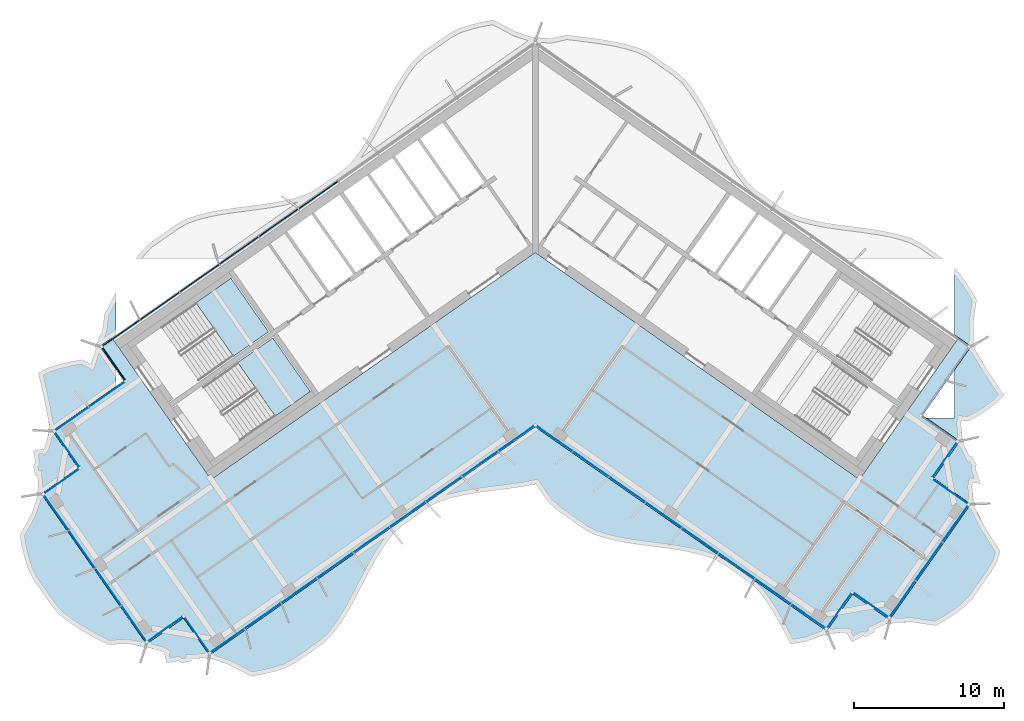
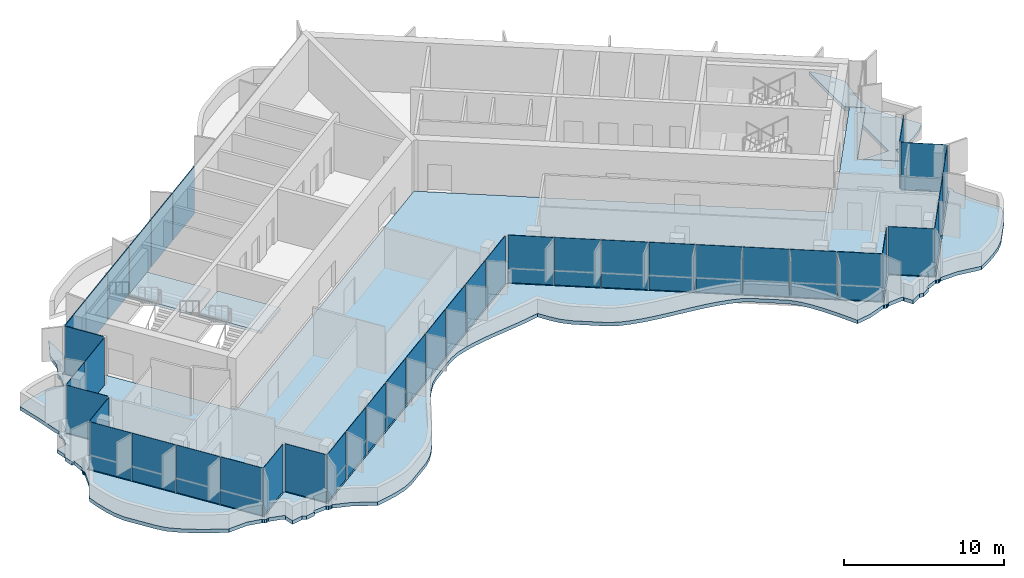
# One storey, part 7 of 17: 41 plates, 4 slabs, 4 elements without a shape of their own.
"""IFC4 building model written with IfcOpenShell, lengths in metres."""

from ifc_helpers import new_model, si_unit, direction, frame, origin, origin_2d, place, context, subcontext, project, spatial, polyline, rectangle, outline, extrude, material, layer, layer_set, type_object, element, aggregate, save


model = new_model("IFC4")

# Units and contexts
model_context = context("Model", 3, precision=1e-05, world=origin(), true_north=direction((0.0, 1.0)))
body_context = subcontext(model_context, "Body", "Model", "MODEL_VIEW")
ifc_project = project(units=[si_unit("LENGTHUNIT", "METRE"), si_unit("AREAUNIT", "SQUARE_METRE"), si_unit("VOLUMEUNIT", "CUBIC_METRE"), si_unit("PLANEANGLEUNIT", "RADIAN"), si_unit("MASSUNIT", "GRAM", prefix="KILO")], contexts=[model_context])

# Site, building, storey
site_placement = place(None, origin())
site = spatial("IfcSite", under=ifc_project, at=site_placement, CompositionType="ELEMENT")
building_placement = place(site_placement, origin())
building = spatial("IfcBuilding", under=site, at=building_placement, Name="Tel Ilan Convention Tower", CompositionType="ELEMENT")
storey_placement = place(building_placement, frame((0.0, 0.0, 287.800048828125)))
storey = spatial("IfcBuildingStorey", under=building, at=storey_placement, Name="L68", CompositionType="ELEMENT", Elevation=287.800048828125)

# Curtain wall, plates
ifc_material_1 = material(Name="Aluminium, bronze anodised", Category="aluminium")
curtain_wall_type_1 = type_object("IfcCurtainWallType", Name="CW2 STICK CURTAIN WALL, SPANDREL PANELS", PredefinedType="NOTDEFINED", material=ifc_material_1)
curtain_wall_1_placement = place(storey_placement, origin())
curtain_wall_1 = element("IfcCurtainWall", 1, at=curtain_wall_1_placement, inside=storey, type_object=curtain_wall_type_1, Name="Curtain wall CW2-51.01", PredefinedType="NOTDEFINED")
ifc_material_2 = material(Name="Aluminium composite panel, bronze anodised", Category="aluminium")
ifc_layer_1 = layer(ifc_material_2, 0.06005859375)
ifc_layer_set_1 = layer_set([ifc_layer_1], Name="CW SPANDREL PANEL 60")
plate_type_1 = type_object("IfcPlateType", Name="CW SPANDREL PANEL 60", PredefinedType="CURTAIN_PANEL", material=ifc_layer_set_1)
plate_1_placement = place(storey_placement, frame((-14.422119140625, 2.59765625, 0.0), z_axis=(0.0, 0.0, 1.0), x_axis=(-0.819152044289, -0.573576436351, 0.0)))
plate_1 = element("IfcPlate", 2, at=plate_1_placement, type_object=plate_type_1, Name="Spandrel panel", PredefinedType="CURTAIN_PANEL", context=body_context, shape_type="SweptSolid", body=[
    extrude(rectangle(XDim=3.15380859375, YDim=0.06005859375, at=origin_2d()), origin(), (0.0, 0.0, 1.0), 3.6201171875),
])
plate_2_placement = place(storey_placement, frame((-17.0546875, 0.754150390625, 0.0), z_axis=(0.0, 0.0, 1.0), x_axis=(-0.819152044289, -0.573576436351, 0.0)))
plate_2 = element("IfcPlate", 3, at=plate_2_placement, type_object=plate_type_1, Name="Spandrel panel", PredefinedType="CURTAIN_PANEL", context=body_context, shape_type="SweptSolid", body=[
    extrude(rectangle(XDim=3.15380859375, YDim=0.06005859375, at=origin_2d()), origin(), (0.0, 0.0, 1.0), 3.6201171875),
])
plate_3_placement = place(storey_placement, frame((-19.687255859375, -1.089111328125, 0.0), z_axis=(0.0, 0.0, 1.0), x_axis=(-0.819152044289, -0.573576436351, 0.0)))
plate_3 = element("IfcPlate", 4, at=plate_3_placement, type_object=plate_type_1, Name="Spandrel panel", PredefinedType="CURTAIN_PANEL", context=body_context, shape_type="SweptSolid", body=[
    extrude(rectangle(XDim=3.15380859375, YDim=0.06005859375, at=origin_2d()), origin(), (0.0, 0.0, 1.0), 3.6201171875),
])
plate_4_placement = place(storey_placement, frame((-22.31982421875, -2.9326171875, 0.0), z_axis=(0.0, 0.0, 1.0), x_axis=(-0.819152044289, -0.573576436351, 0.0)))
plate_4 = element("IfcPlate", 5, at=plate_4_placement, type_object=plate_type_1, Name="Spandrel panel", PredefinedType="CURTAIN_PANEL", context=body_context, shape_type="SweptSolid", body=[
    extrude(rectangle(XDim=3.15380859375, YDim=0.06005859375, at=origin_2d()), origin(), (0.0, 0.0, 1.0), 3.6201171875),
])
plate_5_placement = place(storey_placement, frame((-24.95263671875, -4.77587890625, 0.0), z_axis=(0.0, 0.0, 1.0), x_axis=(-0.819152044289, -0.573576436351, 0.0)))
plate_5 = element("IfcPlate", 6, at=plate_5_placement, type_object=plate_type_1, Name="Spandrel panel", PredefinedType="CURTAIN_PANEL", context=body_context, shape_type="SweptSolid", body=[
    extrude(rectangle(XDim=3.15380859375, YDim=0.06005859375, at=origin_2d()), origin(), (0.0, 0.0, 1.0), 3.6201171875),
])
plate_6_placement = place(storey_placement, frame((-27.5400390625, -6.587646484375, 0.0), z_axis=(0.0, 0.0, 1.0), x_axis=(-0.819152044289, -0.573576436351, 0.0)))
plate_6 = element("IfcPlate", 7, at=plate_6_placement, type_object=plate_type_1, Name="Spandrel panel", PredefinedType="CURTAIN_PANEL", context=body_context, shape_type="SweptSolid", body=[
    extrude(rectangle(XDim=3.0439453125, YDim=0.06005859375, at=origin_2d()), origin(), (0.0, 0.0, 1.0), 3.6201171875),
])
plate_7_placement = place(storey_placement, frame((-28.033935546875, -8.60546875, 0.0), z_axis=(0.0, 0.0, 1.0), x_axis=(0.573576436351, -0.819152044289, 0.0)))
plate_7 = element("IfcPlate", 8, at=plate_7_placement, type_object=plate_type_1, Name="Spandrel panel", PredefinedType="CURTAIN_PANEL", context=body_context, shape_type="SweptSolid", body=[
    extrude(rectangle(XDim=2.658935546875, YDim=0.06005859375, at=origin_2d()), origin(), (0.0, 0.0, 1.0), 3.6201171875),
])
aggregate(curtain_wall_1, [plate_1, plate_2, plate_3, plate_4, plate_5, plate_6, plate_7])

ifc_material_3 = material(Name="Aluminium, bronze anodised", Category="aluminium")
curtain_wall_type_2 = type_object("IfcCurtainWallType", Name="CW5 STICK CURTAIN WALL, UPPER OFFICE LOW-IRON TINTED GLASS", PredefinedType="NOTDEFINED", material=ifc_material_3)
curtain_wall_2_placement = place(storey_placement, origin())
curtain_wall_2 = element("IfcCurtainWall", 9, at=curtain_wall_2_placement, inside=storey, type_object=curtain_wall_type_2, Name="Curtain wall CW5-51.02", PredefinedType="NOTDEFINED")
ifc_material_4 = material(Name="Glass, low-iron bronze tinted, two-ply", Category="glass")
ifc_layer_2 = layer(ifc_material_4, 0.031982421875)
ifc_layer_set_2 = layer_set([ifc_layer_2], Name="CW UPPER GLASS PANEL 32")
plate_type_2 = type_object("IfcPlateType", Name="CW UPPER GLASS PANEL 32", PredefinedType="CURTAIN_PANEL", material=ifc_layer_set_2)
plate_8_placement = place(storey_placement, frame((-28.471435546875, -10.657958984375, 0.0), z_axis=(0.0, 0.0, 1.0), x_axis=(-0.819152044289, -0.573576436351, 0.0)))
plate_8 = element("IfcPlate", 10, at=plate_8_placement, type_object=plate_type_2, Name="Glass panel", PredefinedType="CURTAIN_PANEL", context=body_context, shape_type="SweptSolid", body=[
    extrude(rectangle(XDim=2.868896484375, YDim=0.028076171875, at=origin_2d()), origin(), (0.0, 0.0, 1.0), 3.6201171875),
])
plate_9_placement = place(storey_placement, frame((-30.8203125, -12.302734375, 0.0), z_axis=(0.0, 0.0, 1.0), x_axis=(-0.819152044289, -0.573576436351, 0.0)))
plate_9 = element("IfcPlate", 11, at=plate_9_placement, type_object=plate_type_2, Name="Glass panel", PredefinedType="CURTAIN_PANEL", context=body_context, shape_type="SweptSolid", body=[
    extrude(rectangle(XDim=2.74609375, YDim=0.028076171875, at=origin_2d()), origin(), (0.0, 0.0, 1.0), 3.6201171875),
])
plate_10_placement = place(storey_placement, frame((-31.126220703125, -14.30126953125, 0.0), z_axis=(0.0, 0.0, 1.0), x_axis=(0.573576436351, -0.819152044289, 0.0)))
plate_10 = element("IfcPlate", 12, at=plate_10_placement, type_object=plate_type_2, Name="Glass panel", PredefinedType="CURTAIN_PANEL", context=body_context, shape_type="SweptSolid", body=[
    extrude(rectangle(XDim=2.875, YDim=0.028076171875, at=origin_2d()), origin(), (0.0, 0.0, 1.0), 3.6201171875),
])
plate_11_placement = place(storey_placement, frame((-31.504150390625, -16.44384765625, 0.0), z_axis=(0.0, 0.0, 1.0), x_axis=(-0.819152044289, -0.573576436351, 0.0)))
plate_11 = element("IfcPlate", 13, at=plate_11_placement, type_object=plate_type_2, Name="Glass panel", PredefinedType="CURTAIN_PANEL", context=body_context, shape_type="SweptSolid", body=[
    extrude(rectangle(XDim=2.875, YDim=0.028076171875, at=origin_2d()), origin(), (0.0, 0.0, 1.0), 3.6201171875),
])
plate_12_placement = place(storey_placement, frame((-31.85693359375, -18.488037109375, 0.0), z_axis=(0.0, 0.0, 1.0), x_axis=(0.573576436351, -0.819152044289, 0.0)))
plate_12 = element("IfcPlate", 14, at=plate_12_placement, type_object=plate_type_2, Name="Glass panel", PredefinedType="CURTAIN_PANEL", context=body_context, shape_type="SweptSolid", body=[
    extrude(rectangle(XDim=2.89599609375, YDim=0.028076171875, at=origin_2d()), origin(), (0.0, 0.0, 1.0), 3.6201171875),
])
plate_13_placement = place(storey_placement, frame((-30.134521484375, -20.94775390625, 0.0), z_axis=(0.0, 0.0, 1.0), x_axis=(0.573576436351, -0.819152044289, 0.0)))
plate_13 = element("IfcPlate", 15, at=plate_13_placement, type_object=plate_type_2, Name="Glass panel", PredefinedType="CURTAIN_PANEL", context=body_context, shape_type="SweptSolid", body=[
    extrude(rectangle(XDim=2.989990234375, YDim=0.028076171875, at=origin_2d()), origin(), (0.0, 0.0, 1.0), 3.6201171875),
])
plate_14_placement = place(storey_placement, frame((-28.38525390625, -23.4462890625, 0.0), z_axis=(0.0, 0.0, 1.0), x_axis=(0.573576436351, -0.819152044289, 0.0)))
plate_14 = element("IfcPlate", 16, at=plate_14_placement, type_object=plate_type_2, Name="Glass panel", PredefinedType="CURTAIN_PANEL", context=body_context, shape_type="SweptSolid", body=[
    extrude(rectangle(XDim=2.989990234375, YDim=0.028076171875, at=origin_2d()), origin(), (0.0, 0.0, 1.0), 3.6201171875),
])
plate_15_placement = place(storey_placement, frame((-26.66259765625, -25.90625, 0.0), z_axis=(0.0, 0.0, 1.0), x_axis=(0.573576436351, -0.819152044289, 0.0)))
plate_15 = element("IfcPlate", 17, at=plate_15_placement, type_object=plate_type_2, Name="Glass panel", PredefinedType="CURTAIN_PANEL", context=body_context, shape_type="SweptSolid", body=[
    extrude(rectangle(XDim=2.89599609375, YDim=0.028076171875, at=origin_2d()), origin(), (0.0, 0.0, 1.0), 3.6201171875),
])
plate_16_placement = place(storey_placement, frame((-24.621337890625, -26.273681640625, 0.0), z_axis=(0.0, 0.0, 1.0), x_axis=(0.819152044289, 0.573576436351, 0.0)))
plate_16 = element("IfcPlate", 18, at=plate_16_placement, type_object=plate_type_2, Name="Glass panel", PredefinedType="CURTAIN_PANEL", context=body_context, shape_type="SweptSolid", body=[
    extrude(rectangle(XDim=2.875, YDim=0.028076171875, at=origin_2d()), origin(), (0.0, 0.0, 1.0), 3.6201171875),
])
plate_17_placement = place(storey_placement, frame((-22.478515625, -26.651611328125, 0.0), z_axis=(0.0, 0.0, 1.0), x_axis=(0.573576436351, -0.819152044289, 0.0)))
plate_17 = element("IfcPlate", 19, at=plate_17_placement, type_object=plate_type_2, Name="Glass panel", PredefinedType="CURTAIN_PANEL", context=body_context, shape_type="SweptSolid", body=[
    extrude(rectangle(XDim=2.875, YDim=0.028076171875, at=origin_2d()), origin(), (0.0, 0.0, 1.0), 3.6201171875),
])
plate_18_placement = place(storey_placement, frame((-20.47998046875, -27.036376953125, 0.0), z_axis=(0.0, 0.0, 1.0), x_axis=(0.819152044289, 0.573576436351, 0.0)))
plate_18 = element("IfcPlate", 20, at=plate_18_placement, type_object=plate_type_2, Name="Glass panel", PredefinedType="CURTAIN_PANEL", context=body_context, shape_type="SweptSolid", body=[
    extrude(rectangle(XDim=2.78466796875, YDim=0.028076171875, at=origin_2d()), origin(), (0.0, 0.0, 1.0), 3.6201171875),
])
plate_19_placement = place(storey_placement, frame((-18.111328125, -25.377685546875, 0.0), z_axis=(0.0, 0.0, 1.0), x_axis=(0.819152044289, 0.573576436351, 0.0)))
plate_19 = element("IfcPlate", 21, at=plate_19_placement, type_object=plate_type_2, Name="Glass panel", PredefinedType="CURTAIN_PANEL", context=body_context, shape_type="SweptSolid", body=[
    extrude(rectangle(XDim=2.878662109375, YDim=0.028076171875, at=origin_2d()), origin(), (0.0, 0.0, 1.0), 3.6201171875),
])
plate_20_placement = place(storey_placement, frame((-15.7041015625, -23.692138671875, 0.0), z_axis=(0.0, 0.0, 1.0), x_axis=(0.819152044289, 0.573576436351, 0.0)))
plate_20 = element("IfcPlate", 22, at=plate_20_placement, type_object=plate_type_2, Name="Glass panel", PredefinedType="CURTAIN_PANEL", context=body_context, shape_type="SweptSolid", body=[
    extrude(rectangle(XDim=2.878662109375, YDim=0.028076171875, at=origin_2d()), origin(), (0.0, 0.0, 1.0), 3.6201171875),
])
plate_21_placement = place(storey_placement, frame((-13.296875, -22.006591796875, 0.0), z_axis=(0.0, 0.0, 1.0), x_axis=(0.819152044289, 0.573576436351, 0.0)))
plate_21 = element("IfcPlate", 23, at=plate_21_placement, type_object=plate_type_2, Name="Glass panel", PredefinedType="CURTAIN_PANEL", context=body_context, shape_type="SweptSolid", body=[
    extrude(rectangle(XDim=2.878662109375, YDim=0.028076171875, at=origin_2d()), origin(), (0.0, 0.0, 1.0), 3.6201171875),
])
plate_22_placement = place(storey_placement, frame((-10.8896484375, -20.321044921875, 0.0), z_axis=(0.0, 0.0, 1.0), x_axis=(0.819152044289, 0.573576436351, 0.0)))
plate_22 = element("IfcPlate", 24, at=plate_22_placement, type_object=plate_type_2, Name="Glass panel", PredefinedType="CURTAIN_PANEL", context=body_context, shape_type="SweptSolid", body=[
    extrude(rectangle(XDim=2.878662109375, YDim=0.028076171875, at=origin_2d()), origin(), (0.0, 0.0, 1.0), 3.6201171875),
])
plate_23_placement = place(storey_placement, frame((-8.482666015625, -18.635498046875, 0.0), z_axis=(0.0, 0.0, 1.0), x_axis=(0.819152044289, 0.573576436351, 0.0)))
plate_23 = element("IfcPlate", 25, at=plate_23_placement, type_object=plate_type_2, Name="Glass panel", PredefinedType="CURTAIN_PANEL", context=body_context, shape_type="SweptSolid", body=[
    extrude(rectangle(XDim=2.878662109375, YDim=0.028076171875, at=origin_2d()), origin(), (0.0, 0.0, 1.0), 3.6201171875),
])
plate_24_placement = place(storey_placement, frame((-6.075439453125, -16.949951171875, 0.0), z_axis=(0.0, 0.0, 1.0), x_axis=(0.819152044289, 0.573576436351, 0.0)))
plate_24 = element("IfcPlate", 26, at=plate_24_placement, type_object=plate_type_2, Name="Glass panel", PredefinedType="CURTAIN_PANEL", context=body_context, shape_type="SweptSolid", body=[
    extrude(rectangle(XDim=2.878662109375, YDim=0.028076171875, at=origin_2d()), origin(), (0.0, 0.0, 1.0), 3.6201171875),
])
plate_25_placement = place(storey_placement, frame((-3.668212890625, -15.264404296875, 0.0), z_axis=(0.0, 0.0, 1.0), x_axis=(0.819152044289, 0.573576436351, 0.0)))
plate_25 = element("IfcPlate", 27, at=plate_25_placement, type_object=plate_type_2, Name="Glass panel", PredefinedType="CURTAIN_PANEL", context=body_context, shape_type="SweptSolid", body=[
    extrude(rectangle(XDim=2.878662109375, YDim=0.028076171875, at=origin_2d()), origin(), (0.0, 0.0, 1.0), 3.6201171875),
])
plate_26_placement = place(storey_placement, frame((-1.261474609375, -13.579345703125, 0.0), z_axis=(0.0, 0.0, 1.0), x_axis=(0.819152044289, 0.573576436351, 0.0)))
plate_26 = element("IfcPlate", 28, at=plate_26_placement, type_object=plate_type_2, Name="Glass panel", PredefinedType="CURTAIN_PANEL", context=body_context, shape_type="SweptSolid", body=[
    extrude(rectangle(XDim=2.877685546875, YDim=0.028076171875, at=origin_2d()), origin(), (0.0, 0.0, 1.0), 3.6201171875),
])
plate_27_placement = place(storey_placement, frame((1.280029296875, -13.59228515625, 0.0), z_axis=(0.0, 0.0, 1.0), x_axis=(0.819152044289, -0.573576436351, 0.0)))
plate_27 = element("IfcPlate", 29, at=plate_27_placement, type_object=plate_type_2, Name="Glass panel", PredefinedType="CURTAIN_PANEL", context=body_context, shape_type="SweptSolid", body=[
    extrude(rectangle(XDim=2.866943359375, YDim=0.028076171875, at=origin_2d()), origin(), (0.0, 0.0, 1.0), 3.6201171875),
])
plate_28_placement = place(storey_placement, frame((3.689453125, -15.279541015625, 0.0), z_axis=(0.0, 0.0, 1.0), x_axis=(0.819152044289, -0.573576436351, 0.0)))
plate_28 = element("IfcPlate", 30, at=plate_28_placement, type_object=plate_type_2, Name="Glass panel", PredefinedType="CURTAIN_PANEL", context=body_context, shape_type="SweptSolid", body=[
    extrude(rectangle(XDim=2.89599609375, YDim=0.028076171875, at=origin_2d()), origin(), (0.0, 0.0, 1.0), 3.6201171875),
])
plate_29_placement = place(storey_placement, frame((6.11083984375, -16.974853515625, 0.0), z_axis=(0.0, 0.0, 1.0), x_axis=(0.819152044289, -0.573576436351, 0.0)))
plate_29 = element("IfcPlate", 31, at=plate_29_placement, type_object=plate_type_2, Name="Glass panel", PredefinedType="CURTAIN_PANEL", context=body_context, shape_type="SweptSolid", body=[
    extrude(rectangle(XDim=2.89599609375, YDim=0.028076171875, at=origin_2d()), origin(), (0.0, 0.0, 1.0), 3.6201171875),
])
plate_30_placement = place(storey_placement, frame((8.5322265625, -18.67041015625, 0.0), z_axis=(0.0, 0.0, 1.0), x_axis=(0.819152044289, -0.573576436351, 0.0)))
plate_30 = element("IfcPlate", 32, at=plate_30_placement, type_object=plate_type_2, Name="Glass panel", PredefinedType="CURTAIN_PANEL", context=body_context, shape_type="SweptSolid", body=[
    extrude(rectangle(XDim=2.89599609375, YDim=0.028076171875, at=origin_2d()), origin(), (0.0, 0.0, 1.0), 3.6201171875),
])
plate_31_placement = place(storey_placement, frame((10.95361328125, -20.365966796875, 0.0), z_axis=(0.0, 0.0, 1.0), x_axis=(0.819152044289, -0.573576436351, 0.0)))
plate_31 = element("IfcPlate", 33, at=plate_31_placement, type_object=plate_type_2, Name="Glass panel", PredefinedType="CURTAIN_PANEL", context=body_context, shape_type="SweptSolid", body=[
    extrude(rectangle(XDim=2.89599609375, YDim=0.028076171875, at=origin_2d()), origin(), (0.0, 0.0, 1.0), 3.6201171875),
])
plate_32_placement = place(storey_placement, frame((13.375, -22.061279296875, 0.0), z_axis=(0.0, 0.0, 1.0), x_axis=(0.819152044289, -0.573576436351, 0.0)))
plate_32 = element("IfcPlate", 34, at=plate_32_placement, type_object=plate_type_2, Name="Glass panel", PredefinedType="CURTAIN_PANEL", context=body_context, shape_type="SweptSolid", body=[
    extrude(rectangle(XDim=2.89599609375, YDim=0.028076171875, at=origin_2d()), origin(), (0.0, 0.0, 1.0), 3.6201171875),
])
plate_33_placement = place(storey_placement, frame((15.79638671875, -23.7568359375, 0.0), z_axis=(0.0, 0.0, 1.0), x_axis=(0.819152044289, -0.573576436351, 0.0)))
plate_33 = element("IfcPlate", 35, at=plate_33_placement, type_object=plate_type_2, Name="Glass panel", PredefinedType="CURTAIN_PANEL", context=body_context, shape_type="SweptSolid", body=[
    extrude(rectangle(XDim=2.89599609375, YDim=0.028076171875, at=origin_2d()), origin(), (0.0, 0.0, 1.0), 3.6201171875),
])
plate_34_placement = place(storey_placement, frame((18.17919921875, -25.42529296875, 0.0), z_axis=(0.0, 0.0, 1.0), x_axis=(0.819152044289, -0.573576436351, 0.0)))
plate_34 = element("IfcPlate", 36, at=plate_34_placement, type_object=plate_type_2, Name="Glass panel", PredefinedType="CURTAIN_PANEL", context=body_context, shape_type="SweptSolid", body=[
    extrude(rectangle(XDim=2.802001953125, YDim=0.028076171875, at=origin_2d()), origin(), (0.0, 0.0, 1.0), 3.6201171875),
])
plate_35_placement = place(storey_placement, frame((20.184814453125, -25.04541015625, 0.0), z_axis=(0.0, 0.0, 1.0), x_axis=(0.573576436351, 0.819152044289, 0.0)))
plate_35 = element("IfcPlate", 37, at=plate_35_placement, type_object=plate_type_2, Name="Glass panel", PredefinedType="CURTAIN_PANEL", context=body_context, shape_type="SweptSolid", body=[
    extrude(rectangle(XDim=2.875, YDim=0.028076171875, at=origin_2d()), origin(), (0.0, 0.0, 1.0), 3.6201171875),
])
plate_36_placement = place(storey_placement, frame((22.32763671875, -24.667724609375, 0.0), z_axis=(0.0, 0.0, 1.0), x_axis=(0.819152044289, -0.573576436351, 0.0)))
plate_36 = element("IfcPlate", 38, at=plate_36_placement, type_object=plate_type_2, Name="Glass panel", PredefinedType="CURTAIN_PANEL", context=body_context, shape_type="SweptSolid", body=[
    extrude(rectangle(XDim=2.875, YDim=0.028076171875, at=origin_2d()), origin(), (0.0, 0.0, 1.0), 3.6201171875),
])
plate_37_placement = place(storey_placement, frame((24.39306640625, -24.26611328125, 0.0), z_axis=(0.0, 0.0, 1.0), x_axis=(0.573576436351, 0.819152044289, 0.0)))
plate_37 = element("IfcPlate", 39, at=plate_37_placement, type_object=plate_type_2, Name="Glass panel", PredefinedType="CURTAIN_PANEL", context=body_context, shape_type="SweptSolid", body=[
    extrude(rectangle(XDim=2.979248046875, YDim=0.028076171875, at=origin_2d()), origin(), (0.0, 0.0, 1.0), 3.6201171875),
])
plate_38_placement = place(storey_placement, frame((26.163330078125, -21.73779296875, 0.0), z_axis=(0.0, 0.0, 1.0), x_axis=(0.573576436351, 0.819152044289, 0.0)))
plate_38 = element("IfcPlate", 40, at=plate_38_placement, type_object=plate_type_2, Name="Glass panel", PredefinedType="CURTAIN_PANEL", context=body_context, shape_type="SweptSolid", body=[
    extrude(rectangle(XDim=3.0732421875, YDim=0.028076171875, at=origin_2d()), origin(), (0.0, 0.0, 1.0), 3.6201171875),
])
plate_39_placement = place(storey_placement, frame((27.93359375, -19.209716796875, 0.0), z_axis=(0.0, 0.0, 1.0), x_axis=(0.573576436351, 0.819152044289, 0.0)))
plate_39 = element("IfcPlate", 41, at=plate_39_placement, type_object=plate_type_2, Name="Glass panel", PredefinedType="CURTAIN_PANEL", context=body_context, shape_type="SweptSolid", body=[
    extrude(rectangle(XDim=2.979248046875, YDim=0.028076171875, at=origin_2d()), origin(), (0.0, 0.0, 1.0), 3.6201171875),
])
plate_40_placement = place(storey_placement, frame((27.6044921875, -17.131591796875, 0.0), z_axis=(0.0, 0.0, 1.0), x_axis=(-0.819152044289, 0.573576436351, 0.0)))
plate_40 = element("IfcPlate", 42, at=plate_40_placement, type_object=plate_type_2, Name="Glass panel", PredefinedType="CURTAIN_PANEL", context=body_context, shape_type="SweptSolid", body=[
    extrude(rectangle(XDim=2.875, YDim=0.028076171875, at=origin_2d()), origin(), (0.0, 0.0, 1.0), 3.6201171875),
])
plate_41_placement = place(storey_placement, frame((27.2265625, -14.98876953125, 0.0), z_axis=(0.0, 0.0, 1.0), x_axis=(0.573576436351, 0.819152044289, 0.0)))
plate_41 = element("IfcPlate", 43, at=plate_41_placement, type_object=plate_type_2, Name="Glass panel", PredefinedType="CURTAIN_PANEL", context=body_context, shape_type="SweptSolid", body=[
    extrude(rectangle(XDim=2.875, YDim=0.028076171875, at=origin_2d()), origin(), (0.0, 0.0, 1.0), 3.6201171875),
])
aggregate(curtain_wall_2, [plate_8, plate_9, plate_10, plate_11, plate_12, plate_13, plate_14, plate_15, plate_16, plate_17, plate_18, plate_19, plate_20, plate_21, plate_22, plate_23, plate_24, plate_25, plate_26, plate_27, plate_28, plate_29, plate_30, plate_31, plate_32, plate_33, plate_34, plate_35, plate_36, plate_37, plate_38, plate_39, plate_40, plate_41])

# Stair, slab
ifc_material_5 = material(Name="Concrete C40/50", Category="concrete")
stair_type = type_object("IfcStairType", Name="Pressurised Exit Stair 22 risers 177 mm", PredefinedType="HALF_TURN_STAIR", material=ifc_material_5)
stair_1_placement = place(storey_placement, origin())
stair_1 = element("IfcStair", 44, at=stair_1_placement, inside=storey, type_object=stair_type, Name="L68 Pressurised Stair S1", PredefinedType="HALF_TURN_STAIR")
ifc_material_6 = material(Name="Concrete C40/50", Category="concrete")
ifc_layer_3 = layer(ifc_material_6, 0.199951171875)
ifc_layer_set_3 = layer_set([ifc_layer_3], Name="Concrete Stair Landing 200 mm C40/50")
slab_type_1 = type_object("IfcSlabType", Name="Concrete Stair Landing 200 mm", PredefinedType="LANDING", material=ifc_layer_set_3)
slab_1_placement = place(storey_placement, frame((0.0, 0.0, 1.75)))
slab_1 = element("IfcSlab", 45, at=slab_1_placement, type_object=slab_type_1, Name="S1 landing 1", PredefinedType="LANDING", context=body_context, shape_type="SweptSolid", body=[
    extrude(outline(polyline([(-20.066650390625, -8.130126953125), (-17.7314453125, -6.494873046875), (-20.226318359375, -2.931640625), (-22.561767578125, -4.566650390625), (-20.066650390625, -8.130126953125)])), origin(), (0.0, 0.0, 1.0), 0.199951171875),
])
aggregate(stair_1, [slab_1])

stair_2_placement = place(storey_placement, origin())
stair_2 = element("IfcStair", 46, at=stair_2_placement, inside=storey, type_object=stair_type, Name="L68 Pressurised Stair S2", PredefinedType="HALF_TURN_STAIR")
slab_2_placement = place(storey_placement, frame((0.0, 0.0, 1.75)))
slab_2 = element("IfcSlab", 47, at=slab_2_placement, type_object=slab_type_1, Name="S2 landing 1", PredefinedType="LANDING", context=body_context, shape_type="SweptSolid", body=[
    extrude(outline(polyline([(-17.28466796875, -12.10302734375), (-14.949462890625, -10.4677734375), (-17.444580078125, -6.904541015625), (-19.77978515625, -8.53955078125), (-17.28466796875, -12.10302734375)])), origin(), (0.0, 0.0, 1.0), 0.199951171875),
])
aggregate(stair_2, [slab_2])

# Slabs
ifc_material_7 = material(Name="Concrete C40/50", Category="concrete")
ifc_layer_4 = layer(ifc_material_7, 0.280029296875)
ifc_layer_set_4 = layer_set([ifc_layer_4], Name="Edge Ledge Slab 280 mm C40/50")
slab_type_2 = type_object("IfcSlabType", Name="Edge Ledge Slab 280 mm C40/50", PredefinedType="FLOOR", material=ifc_layer_set_4)
slab_3_placement = place(storey_placement, frame((0.0, 0.0, -0.280029296875)))
element("IfcSlab", 48, at=slab_3_placement, inside=storey, type_object=slab_type_2, Name="L68 edge ledge 1", PredefinedType="FLOOR", context=body_context, shape_type="SweptSolid", body=[
    extrude(outline(polyline([(-23.49462890625, -28.5126953125), (-23.728759765625, -28.3701171875), (-24.51416015625, -28.518310546875), (-24.64697265625, -27.87890625), (-24.61669921875, -27.8291015625), (-24.7724609375, -27.73388671875), (-25.6708984375, -27.4970703125), (-25.67431640625, -27.4921875), (-25.728271484375, -27.5283203125), (-25.843017578125, -27.55126953125), (-25.957763671875, -27.5283203125), (-26.05517578125, -27.46337890625), (-26.083984375, -27.420166015625), (-26.088623046875, -27.42333984375), (-27.05419921875, -27.223388671875), (-28.398193359375, -27.288330078125), (-29.12353515625, -26.920166015625), (-29.82373046875, -26.5341796875), (-30.49462890625, -26.1279296875), (-31.125732421875, -25.69384765625), (-31.707763671875, -25.22509765625), (-32.166748046875, -24.670654296875), (-33.401611328125, -22.906982421875), (-33.7158203125, -22.2509765625), (-33.940185546875, -21.531982421875), (-34.1181640625, -20.780517578125), (-34.248779296875, -19.995849609375), (-33.47021484375, -18.574462890625), (-33.08642578125, -17.4296875), (-33.081787109375, -17.426513671875), (-33.117919921875, -17.372314453125), (-33.140625, -17.257568359375), (-33.117919921875, -17.142822265625), (-33.052734375, -17.04541015625), (-33.009521484375, -17.0166015625), (-33.0126953125, -17.011962890625), (-33.085693359375, -16.03955078125), (-33.232666015625, -16.067138671875), (-33.365478515625, -15.427490234375), (-33.22265625, -15.193603515625), (-33.370849609375, -14.408203125), (-32.7314453125, -14.275390625), (-32.681640625, -14.3056640625), (-32.586669921875, -14.14990234375), (-32.349609375, -13.25146484375), (-32.344970703125, -13.248291015625), (-32.381103515625, -13.194091796875), (-32.40380859375, -13.079345703125), (-32.381103515625, -12.964599609375), (-32.31591796875, -12.8671875), (-32.272705078125, -12.83837890625), (-32.27587890625, -12.833740234375), (-32.6083984375, -11.094970703125), (-33.031982421875, -9.225830078125), (-32.382080078125, -8.890380859375), (-31.6572265625, -8.661376953125), (-30.899169921875, -8.47998046875), (-30.110107421875, -8.3427734375), (-29.537353515625, -8.652587890625), (-29.20458984375, -7.631103515625), (-29.199951171875, -7.6279296875), (-29.236083984375, -7.57373046875), (-29.2587890625, -7.458984375), (-29.236083984375, -7.34423828125), (-29.1708984375, -7.246826171875), (-29.127685546875, -7.218017578125), (-29.130859375, -7.21337890625), (-28.772216796875, -6.441650390625), (-28.635009765625, -5.353515625), (-28.252685546875, -4.614990234375), (-27.875, -3.881103515625), (-27.875, -6.7001953125), (-28.958740234375, -7.458984375), (-27.875, -9.007080078125), (-27.875, -10.1181640625), (-32.10400390625, -13.079345703125), (-30.383056640625, -15.536865234375), (-32.840576171875, -17.257568359375), (-25.843017578125, -27.251220703125), (-23.385498046875, -25.530517578125), (-21.664794921875, -27.988037109375), (0.0, -12.818115234375), (19.37109375, -26.382080078125), (21.091796875, -23.924560546875), (23.54931640625, -25.645263671875), (28.94091796875, -17.9453125), (26.4833984375, -16.224609375), (28.2041015625, -13.76708984375), (26.023681640625, -12.239990234375), (27.875, -12.239990234375), (27.875, -9.007080078125), (28.958740234375, -7.458984375), (27.875, -6.7001953125), (27.875, -2.269287109375), (28.0107421875, -2.392578125), (28.48388671875, -3.001220703125), (28.922119140625, -3.6591796875), (29.331298828125, -4.35888671875), (29.109619140625, -5.95947265625), (29.130859375, -7.21337890625), (29.127685546875, -7.218017578125), (29.1708984375, -7.246826171875), (29.236083984375, -7.34423828125), (29.2587890625, -7.458984375), (29.236083984375, -7.57373046875), (29.199951171875, -7.6279296875), (29.20458984375, -7.631103515625), (30.056640625, -9.082275390625), (31.151123046875, -10.703125), (30.66748046875, -11.218994140625), (30.077880859375, -11.660888671875), (29.445068359375, -12.072265625), (28.752685546875, -12.44189453125), (28.33642578125, -12.373291015625), (28.291748046875, -12.595947265625), (28.376220703125, -13.521240234375), (28.373046875, -13.52587890625), (28.41650390625, -13.554931640625), (28.4814453125, -13.652099609375), (28.504150390625, -13.76708984375), (28.4814453125, -13.8818359375), (28.4453125, -13.935791015625), (28.449951171875, -13.939208984375), (28.889404296875, -14.805419921875), (28.979736328125, -14.751708984375), (29.3232421875, -15.30712890625), (29.26171875, -15.613037109375), (29.61181640625, -16.583740234375), (29.080078125, -16.5166015625), (29.028564453125, -16.774169921875), (29.113037109375, -17.699462890625), (29.10986328125, -17.7041015625), (29.153076171875, -17.733154296875), (29.218017578125, -17.830322265625), (29.240966796875, -17.9453125), (29.218017578125, -18.06005859375), (29.181884765625, -18.114013671875), (29.186767578125, -18.1171875), (29.872314453125, -19.47998046875), (30.8984375, -21.081298828125), (30.669189453125, -21.803466796875), (30.31298828125, -22.436767578125), (29.068603515625, -24.213623046875), (28.5625, -24.741943359375), (27.960693359375, -25.203369140625), (27.311767578125, -25.631591796875), (26.617919921875, -26.0283203125), (25.015625, -25.789306640625), (23.795166015625, -25.8173828125), (23.790283203125, -25.81396484375), (23.761474609375, -25.857421875), (23.664306640625, -25.92236328125), (23.54931640625, -25.9453125), (23.4345703125, -25.92236328125), (23.380615234375, -25.88623046875), (23.377197265625, -25.89111328125), (22.488525390625, -26.292236328125), (22.564697265625, -26.4208984375), (22.00927734375, -26.76416015625), (21.740478515625, -26.710205078125), (21.052978515625, -27.1181640625), (20.709716796875, -26.5625), (20.72119140625, -26.50537109375), (20.542236328125, -26.469482421875), (19.616943359375, -26.553955078125), (19.6123046875, -26.55078125), (19.583251953125, -26.593994140625), (19.486083984375, -26.6591796875), (19.37109375, -26.681884765625), (19.25634765625, -26.6591796875), (19.202392578125, -26.623046875), (19.19921875, -26.627685546875), (17.98388671875, -27.074951171875), (16.96240234375, -27.2451171875), (16.57958984375, -26.50341796875), (16.18994140625, -25.771728515625), (15.782958984375, -25.064453125), (15.349853515625, -24.39453125), (14.88330078125, -23.7724609375), (14.356201171875, -23.23681640625), (12.540283203125, -21.965087890625), (11.8955078125, -21.59765625), (11.16455078125, -21.353271484375), (10.3974609375, -21.159912109375), (9.601806640625, -21.008056640625), (8.785888671875, -20.885009765625), (7.958740234375, -20.777587890625), (7.130615234375, -20.672119140625), (6.311279296875, -20.553955078125), (5.510009765625, -20.40966796875), (4.73583984375, -20.22705078125), (3.99609375, -19.9951171875), (3.325927734375, -19.663818359375), (1.510009765625, -18.39208984375), (0.956298828125, -17.894287109375), (0.481201171875, -17.28466796875), (0.041015625, -16.624755859375), (0.03369140625, -16.6123046875), (-0.023681640625, -16.626708984375), (-0.816650390625, -16.775146484375), (-1.62890625, -16.895751953125), (-2.45166015625, -17.001953125), (-3.274658203125, -17.107421875), (-4.08837890625, -17.225830078125), (-4.8837890625, -17.370849609375), (-5.65234375, -17.55419921875), (-6.386474609375, -17.78662109375), (-7.049560546875, -18.12060546875), (-8.85498046875, -19.384521484375), (-9.404541015625, -19.880615234375), (-9.877197265625, -20.486572265625), (-10.314697265625, -21.142333984375), (-10.724853515625, -21.83740234375), (-11.11572265625, -22.56005859375), (-11.49658203125, -23.296875), (-11.877197265625, -24.0341796875), (-12.267333984375, -24.7578125), (-12.67626953125, -25.454833984375), (-13.1123046875, -26.113037109375), (-13.582763671875, -26.721923828125), (-14.12646484375, -27.226318359375), (-15.931884765625, -28.490478515625), (-16.588623046875, -28.833251953125), (-17.32080078125, -29.068603515625), (-18.08740234375, -29.25439453125), (-18.88330078125, -29.3984375), (-20.311279296875, -28.64013671875), (-21.49267578125, -28.233642578125), (-21.49609375, -28.22900390625), (-21.550048828125, -28.26513671875), (-21.664794921875, -28.2880859375), (-21.779541015625, -28.26513671875), (-21.876953125, -28.2001953125), (-21.906005859375, -28.15673828125), (-21.910400390625, -28.16015625), (-22.8828125, -28.233154296875), (-22.855224609375, -28.3798828125), (-23.49462890625, -28.5126953125)])), origin(), (0.0, 0.0, 1.0), 0.280029296875),
])
ifc_material_8 = material(Name="Concrete C40/50", Category="concrete")
ifc_layer_5 = layer(ifc_material_8, 0.280029296875)
ifc_layer_set_5 = layer_set([ifc_layer_5], Name="Flat Plate Floor Slab 280 mm C40/50")
slab_type_3 = type_object("IfcSlabType", Name="Flat Plate Floor Slab 280 mm C40/50", PredefinedType="FLOOR", material=ifc_layer_set_5)
slab_4_placement = place(storey_placement, frame((0.0, 0.0, -0.280029296875)))
element("IfcSlab", 49, at=slab_4_placement, inside=storey, type_object=slab_type_3, Name="L68 floor slab", PredefinedType="FLOOR", context=body_context, shape_type="SweptSolid", body=[
    extrude(outline(polyline([(-21.54345703125, -16.3056640625), (0.0, -1.220703125), (21.54345703125, -16.3056640625), (28.1396484375, -6.885498046875), (28.958740234375, -7.458984375), (25.746826171875, -12.04638671875), (28.2041015625, -13.76708984375), (26.4833984375, -16.224609375), (28.94091796875, -17.9453125), (23.54931640625, -25.645263671875), (21.091796875, -23.924560546875), (19.37109375, -26.382080078125), (0.0, -12.818115234375), (-21.664794921875, -27.988037109375), (-23.385498046875, -25.530517578125), (-25.843017578125, -27.251220703125), (-32.840576171875, -17.257568359375), (-30.383056640625, -15.536865234375), (-32.10400390625, -13.079345703125), (-27.352783203125, -9.752685546875), (-28.958740234375, -7.458984375), (-28.1396484375, -6.885498046875), (-21.54345703125, -16.3056640625)])), origin(), (0.0, 0.0, 1.0), 0.280029296875),
])

save(model, "model.ifc")
